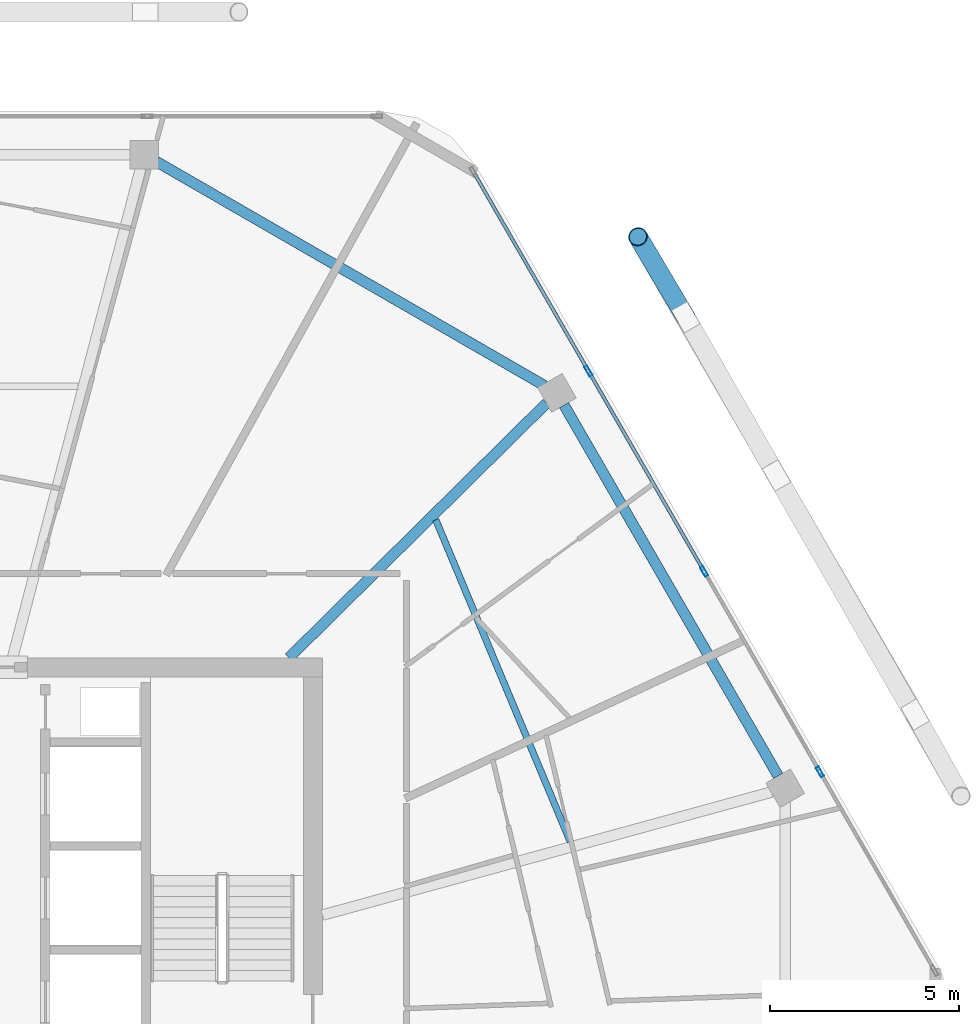
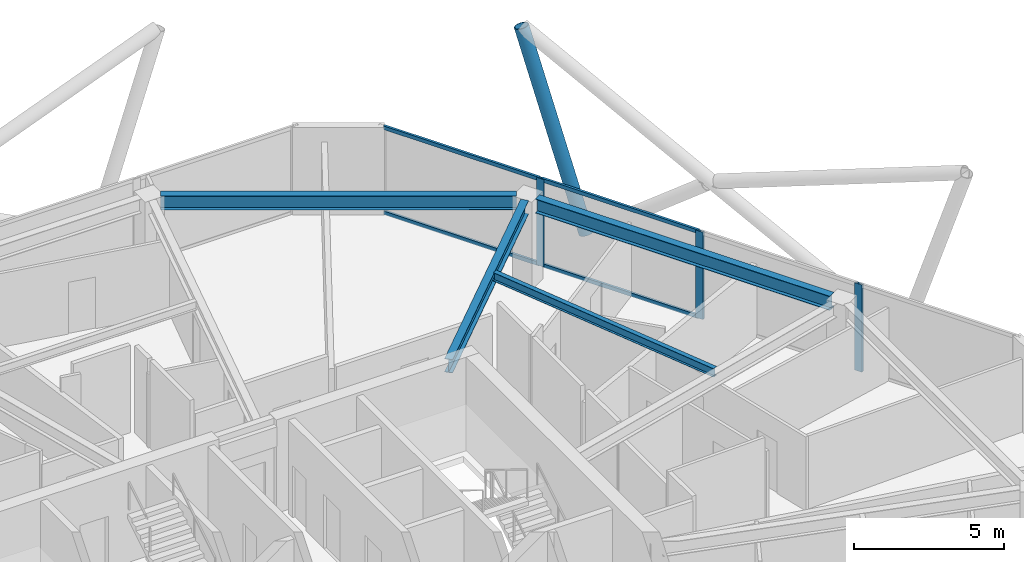
# One storey, part 13 of 24: 8 members, 4 beams, 1 element without a shape of its own.
"""IFC4 building model written with IfcOpenShell, lengths in metres."""

from ifc_helpers import new_model, si_unit, direction, frame, origin, origin_2d, place, context, subcontext, project, spatial, hollow_rectangle, hollow_circle, i_section, extrude, material, material_profile, profile_set, type_object, element, aggregate, save


model = new_model("IFC4")

# Units and contexts
model_context = context("Model", 3, precision=1e-05, world=origin(), true_north=direction((0.0, 1.0)))
body_context = subcontext(model_context, "Body", "Model", "MODEL_VIEW")
ifc_project = project(units=[si_unit("LENGTHUNIT", "METRE"), si_unit("AREAUNIT", "SQUARE_METRE"), si_unit("VOLUMEUNIT", "CUBIC_METRE"), si_unit("PLANEANGLEUNIT", "RADIAN"), si_unit("MASSUNIT", "GRAM", prefix="KILO")], contexts=[model_context])

# Site, building, storey
site_placement = place(None, origin())
site = spatial("IfcSite", under=ifc_project, at=site_placement, CompositionType="ELEMENT")
building_placement = place(site_placement, origin())
building = spatial("IfcBuilding", under=site, at=building_placement, Name="Zuhravey Tower", CompositionType="ELEMENT")
storey_placement = place(building_placement, frame((0.0, 0.0, 338.60009765625)))
storey = spatial("IfcBuildingStorey", under=building, at=storey_placement, Name="L86", CompositionType="ELEMENT", Elevation=338.60009765625)

# Curtain wall, members
ifc_material_1 = material(Name="Thermally broken anodised aluminium", Category="aluminium")
curtain_wall_type = type_object("IfcCurtainWallType", Name="Zone 3-4 High-Rise Curtain Wall CW4", PredefinedType="NOTDEFINED", material=ifc_material_1)
curtain_wall_placement = place(storey_placement, origin())
curtain_wall = element("IfcCurtainWall", 1, at=curtain_wall_placement, inside=storey, type_object=curtain_wall_type, Name="L86 CW4 CW-L86-F1-1", PredefinedType="NOTDEFINED")
ifc_material_2 = material(Name="Anodised aluminium", Category="aluminium")
ifc_material_profile_1 = material_profile(ifc_material_2, hollow_rectangle(XDim=0.090087890625, YDim=0.284912109375, WallThickness=0.0048828125, at=origin_2d()), Name="ALU-RHS-90x285x5")
ifc_profile_set_1 = profile_set([ifc_material_profile_1], Name="Anodised aluminium")
member_type_1 = type_object("IfcMemberType", Name="Curtain-Wall Mullion 90x180", PredefinedType="MULLION", material=ifc_profile_set_1)
member_1_placement = place(storey_placement, frame((53.788818359375, 49.3369140625, 0.0), z_axis=(0.0, 0.0, 1.0), x_axis=(0.866025511541, 0.49999981336, 0.0)))
member_1 = element("IfcMember", 2, at=member_1_placement, type_object=member_type_1, Name="CW4 mullion 2", PredefinedType="MULLION", context=body_context, shape_type="SweptSolid", body=[
    extrude(hollow_rectangle(XDim=0.090087890625, YDim=0.284912109375, WallThickness=0.0048828125, at=origin_2d()), origin(), (0.0, 0.0, 1.0), 3.5498046875),
])
member_2_placement = place(storey_placement, frame((56.8486328125, 44.037109375, 0.0), z_axis=(0.0, 0.0, 1.0), x_axis=(0.866025511541, 0.49999981336, 0.0)))
member_2 = element("IfcMember", 3, at=member_2_placement, type_object=member_type_1, Name="CW4 mullion 3", PredefinedType="MULLION", context=body_context, shape_type="SweptSolid", body=[
    extrude(hollow_rectangle(XDim=0.090087890625, YDim=0.284912109375, WallThickness=0.0048828125, at=origin_2d()), origin(), (0.0, 0.0, 1.0), 3.5498046875),
])
member_3_placement = place(storey_placement, frame((59.90869140625, 38.7373046875, 0.0), z_axis=(0.0, 0.0, 1.0), x_axis=(0.866025511541, 0.49999981336, 0.0)))
member_3 = element("IfcMember", 4, at=member_3_placement, type_object=member_type_1, Name="CW4 mullion 4", PredefinedType="MULLION", context=body_context, shape_type="SweptSolid", body=[
    extrude(hollow_rectangle(XDim=0.090087890625, YDim=0.284912109375, WallThickness=0.0048828125, at=origin_2d()), origin(), (0.0, 0.0, 1.0), 3.5498046875),
])
ifc_material_profile_2 = material_profile(ifc_material_2, hollow_rectangle(XDim=0.090087890625, YDim=0.14990234375, WallThickness=0.0048828125, at=origin_2d()), Name="ALU-RHS-90x150x5")
ifc_profile_set_2 = profile_set([ifc_material_profile_2], Name="Anodised aluminium")
member_type_2 = type_object("IfcMemberType", Name="Curtain-Wall Transom 90x150", PredefinedType="USERDEFINED", material=ifc_profile_set_2)
member_4_placement = place(storey_placement, frame((50.774169921875, 54.55859375, 0.044921875), z_axis=(0.499982594807, -0.866035452444, 0.0), x_axis=(0.866035452444, 0.499982594807, 0.0)))
member_4 = element("IfcMember", 5, at=member_4_placement, type_object=member_type_2, Name="CW4 transom 1.1", ObjectType="TRANSOM", PredefinedType="USERDEFINED", context=body_context, shape_type="SweptSolid", body=[
    extrude(hollow_rectangle(XDim=0.090087890625, YDim=0.14990234375, WallThickness=0.0048828125, at=origin_2d()), origin(), (0.0, 0.0, 1.0), 5.984619140625),
])
member_5_placement = place(storey_placement, frame((50.774169921875, 54.55859375, 3.5048828125), z_axis=(0.499982594807, -0.866035452444, 0.0), x_axis=(0.866035452444, 0.499982594807, 0.0)))
member_5 = element("IfcMember", 6, at=member_5_placement, type_object=member_type_2, Name="CW4 transom 1.2", ObjectType="TRANSOM", PredefinedType="USERDEFINED", context=body_context, shape_type="SweptSolid", body=[
    extrude(hollow_rectangle(XDim=0.090087890625, YDim=0.14990234375, WallThickness=0.0048828125, at=origin_2d()), origin(), (0.0, 0.0, 1.0), 5.984619140625),
])
member_6_placement = place(storey_placement, frame((53.8115234375, 49.2978515625, 0.044921875), z_axis=(0.499971305196, -0.866041970103, 0.0), x_axis=(0.866041970103, 0.499971305196, 0.0)))
member_6 = element("IfcMember", 7, at=member_6_placement, type_object=member_type_2, Name="CW4 transom 2.1", ObjectType="TRANSOM", PredefinedType="USERDEFINED", context=body_context, shape_type="SweptSolid", body=[
    extrude(hollow_rectangle(XDim=0.090087890625, YDim=0.14990234375, WallThickness=0.0048828125, at=origin_2d()), origin(), (0.0, 0.0, 1.0), 6.029541015625),
])
member_7_placement = place(storey_placement, frame((53.8115234375, 49.2978515625, 3.5048828125), z_axis=(0.499971305196, -0.866041970103, 0.0), x_axis=(0.866041970103, 0.499971305196, 0.0)))
member_7 = element("IfcMember", 8, at=member_7_placement, type_object=member_type_2, Name="CW4 transom 2.2", ObjectType="TRANSOM", PredefinedType="USERDEFINED", context=body_context, shape_type="SweptSolid", body=[
    extrude(hollow_rectangle(XDim=0.090087890625, YDim=0.14990234375, WallThickness=0.0048828125, at=origin_2d()), origin(), (0.0, 0.0, 1.0), 6.029541015625),
])
aggregate(curtain_wall, [member_1, member_2, member_3, member_4, member_5, member_6, member_7])

# Member
ifc_material_3 = material(Name="Steel SM355", Category="steel")
ifc_material_profile_3 = material_profile(ifc_material_3, hollow_circle(Radius=0.25390625, WallThickness=0.02490234375, at=origin_2d()), Name="CHS-508.0x25")
ifc_profile_set_3 = profile_set([ifc_material_profile_3], Name="Steel SM355")
member_type_3 = type_object("IfcMemberType", Name="Exoskeleton Zone 4 Diagrid CHS508x25", PredefinedType="BRACE", material=ifc_profile_set_3)
member_8_placement = place(storey_placement, frame((56.3583984375, 50.76611328125, -0.447998046875), z_axis=(-0.158481485695, 0.266977518278, 0.95058225495), x_axis=(-0.859906229108, -0.510452032165, 0.0)))
element("IfcMember", 9, at=member_8_placement, inside=storey, type_object=member_type_3, Name="L86 Face 1 Diagrid Brace 4", PredefinedType="BRACE", context=body_context, shape_type="SweptSolid", body=[
    extrude(hollow_circle(Radius=0.25390625, WallThickness=0.02490234375, at=origin_2d()), origin(), (0.0, 0.0, 1.0), 7.961181640625),
])

# Beams
ifc_material_profile_4 = material_profile(ifc_material_3, i_section(OverallWidth=0.280029296875, OverallDepth=0.580078125, WebThickness=0.011962890625, FlangeThickness=0.01904296875, at=origin_2d()), Name="H-580x280x12x19")
ifc_profile_set_4 = profile_set([ifc_material_profile_4], Name="Steel SM355")
beam_type_1 = type_object("IfcBeamType", Name="Perimeter Ring Beam H580x280", PredefinedType="BEAM", material=ifc_profile_set_4)
beam_1_placement = place(storey_placement, frame((58.804443359375, 38.629638671875, 3.260009765625), z_axis=(-0.499993743963, 0.866029015679, 0.0), x_axis=(-0.866029015679, -0.499993743963, 0.0)))
element("IfcBeam", 10, at=beam_1_placement, inside=storey, type_object=beam_type_1, Name="L86 PB4 BM-L86-PB-01", PredefinedType="BEAM", context=body_context, shape_type="SweptSolid", body=[
    extrude(i_section(OverallWidth=0.280029296875, OverallDepth=0.580078125, WebThickness=0.011962890625, FlangeThickness=0.01904296875, at=origin_2d()), origin(), (0.0, 0.0, 1.0), 11.321533203125),
])
beam_2_placement = place(storey_placement, frame((52.62744140625, 48.95068359375, 3.260009765625), z_axis=(-0.866030838723, 0.499990586292, 0.0), x_axis=(-0.499990586292, -0.866030838723, 0.0)))
element("IfcBeam", 11, at=beam_2_placement, inside=storey, type_object=beam_type_1, Name="L86 PB4 BM-L86-PB-02", PredefinedType="BEAM", context=body_context, shape_type="SweptSolid", body=[
    extrude(i_section(OverallWidth=0.280029296875, OverallDepth=0.580078125, WebThickness=0.011962890625, FlangeThickness=0.01904296875, at=origin_2d()), origin(), (0.0, 0.0, 1.0), 11.848876953125),
])
ifc_material_profile_5 = material_profile(ifc_material_3, i_section(OverallWidth=0.280029296875, OverallDepth=0.550048828125, WebThickness=0.010986328125, FlangeThickness=0.01806640625, at=origin_2d()), Name="H-550x280x11x18")
ifc_profile_set_5 = profile_set([ifc_material_profile_5], Name="Steel SM355")
beam_type_2 = type_object("IfcBeamType", Name="Radial Primary Girder H550x280", PredefinedType="BEAM", material=ifc_profile_set_5)
beam_3_placement = place(storey_placement, frame((45.865234375, 41.7529296875, 3.27490234375), z_axis=(0.711142578304, 0.703047817238, 0.0), x_axis=(-0.703047817238, 0.711142578304, 0.0)))
element("IfcBeam", 12, at=beam_3_placement, inside=storey, type_object=beam_type_2, Name="L86 RG4 BM-L86-RAD-02", PredefinedType="BEAM", context=body_context, shape_type="SweptSolid", body=[
    extrude(i_section(OverallWidth=0.280029296875, OverallDepth=0.550048828125, WebThickness=0.010986328125, FlangeThickness=0.01806640625, at=origin_2d()), origin(), (0.0, 0.0, 1.0), 9.591064453125),
])
ifc_material_profile_6 = material_profile(ifc_material_3, i_section(OverallWidth=0.175048828125, OverallDepth=0.35009765625, WebThickness=0.007080078125, FlangeThickness=0.010986328125, at=origin_2d()), Name="H-350x175x7x11")
ifc_profile_set_6 = profile_set([ifc_material_profile_6], Name="Steel SM355")
beam_type_3 = type_object("IfcBeamType", Name="Secondary Floor Joist H350x175", PredefinedType="JOIST", material=ifc_profile_set_6)
beam_4_placement = place(storey_placement, frame((53.307373046875, 36.891845703125, 3.375), z_axis=(-0.385657891576, 0.922641853953, 0.0), x_axis=(-0.922641853953, -0.385657891576, 0.0)))
element("IfcBeam", 13, at=beam_4_placement, inside=storey, type_object=beam_type_3, Name="L86 SJ3 BM-L86-SJ-01-1", PredefinedType="JOIST", context=body_context, shape_type="SweptSolid", body=[
    extrude(i_section(OverallWidth=0.175048828125, OverallDepth=0.35009765625, WebThickness=0.007080078125, FlangeThickness=0.010986328125, at=origin_2d()), origin(), (0.0, 0.0, 1.0), 9.226806640625),
])

save(model, "model.ifc")
